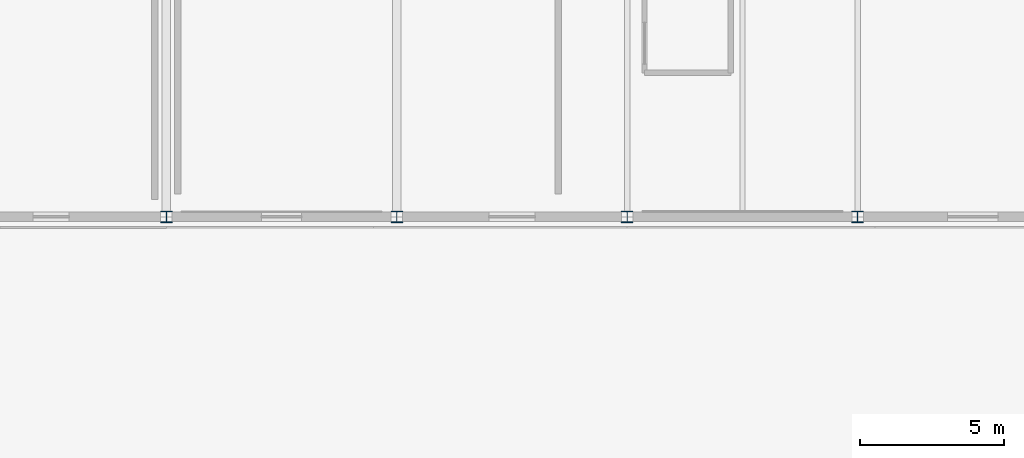
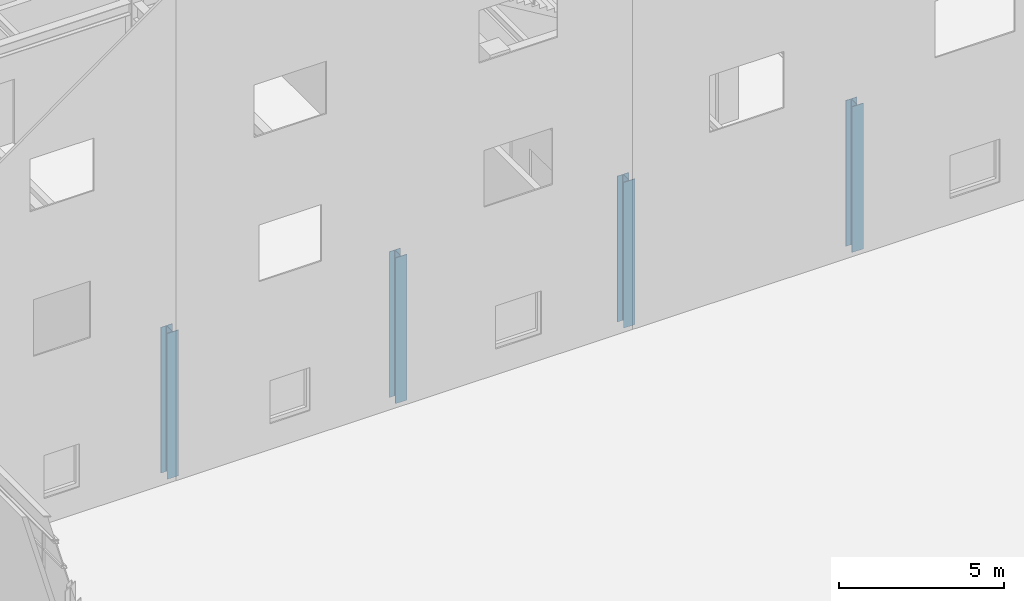
# One storey, part 8 of 119: 4 columns.
"""IFC4 building model written with IfcOpenShell, lengths in metres."""

from ifc_helpers import new_model, si_unit, direction, frame, origin, origin_2d, place, context, subcontext, project, spatial, i_section, extrude, material, material_profile, profile_set, type_object, element, save


model = new_model("IFC4")

# Units and contexts
model_context = context("Model", 3, precision=1e-05, world=origin(), true_north=direction((0.0, 1.0)))
body_context = subcontext(model_context, "Body", "Model", "MODEL_VIEW")
ifc_project = project(units=[si_unit("LENGTHUNIT", "METRE"), si_unit("AREAUNIT", "SQUARE_METRE"), si_unit("VOLUMEUNIT", "CUBIC_METRE"), si_unit("PLANEANGLEUNIT", "RADIAN"), si_unit("MASSUNIT", "GRAM", prefix="KILO")], contexts=[model_context])

# Site, building, storey
site_placement = place(None, origin())
site = spatial("IfcSite", under=ifc_project, at=site_placement, CompositionType="ELEMENT")
building_placement = place(site_placement, origin())
building = spatial("IfcBuilding", under=site, at=building_placement, Name="Zhaolan Boulevard Law Courts", CompositionType="ELEMENT")
storey_placement = place(building_placement, origin())
storey = spatial("IfcBuildingStorey", under=building, at=storey_placement, Name="L00", CompositionType="ELEMENT", Elevation=0.0)

# Columns
ifc_material = material(Name="Structural steel Q390B", Category="steel")
ifc_material_profile = material_profile(ifc_material, i_section(OverallWidth=0.39990234375, OverallDepth=0.39990234375, WebThickness=0.012939453125, FlangeThickness=0.02099609375, FilletRadius=0.02197265625, at=origin_2d()), Name="HW400x400")
ifc_profile_set = profile_set([ifc_material_profile], Name="Structural steel Q390B")
column_type = type_object("IfcColumnType", Name="COL HW400", PredefinedType="COLUMN", material=ifc_profile_set)
for number, where, z_axis, x_axis, name in (
    (1, (68.0, 62.0, 0.0), (0.0, 0.0, 1.0), (1.0, 0.0, 0.0), "Column C-9J (L00)"),
    (2, (76.0, 62.0, 0.0), (0.0, 0.0, 1.0), (1.0, 0.0, 0.0), "Column C-10J (L00)"),
    (3, (84.0, 62.0, 0.0), (0.0, 0.0, 1.0), (1.0, 0.0, 0.0), "Column C-11J (L00)"),
    (4, (92.0, 62.0, 0.0), (0.0, 0.0, 1.0), (1.0, 0.0, 0.0), "Column C-12J (L00)"),
):
    element("IfcColumn", number, at=place(storey_placement, frame(where, z_axis=z_axis, x_axis=x_axis)), inside=storey, type_object=column_type, Name=name, PredefinedType="COLUMN", context=body_context, shape_type="SweptSolid", body=[
        extrude(i_section(OverallWidth=0.39990234375, OverallDepth=0.39990234375, WebThickness=0.012939453125, FlangeThickness=0.02099609375, FilletRadius=0.02197265625, at=origin_2d()), origin(), (0.0, 0.0, 1.0), 5.39990234375),
    ])

save(model, "model.ifc")
